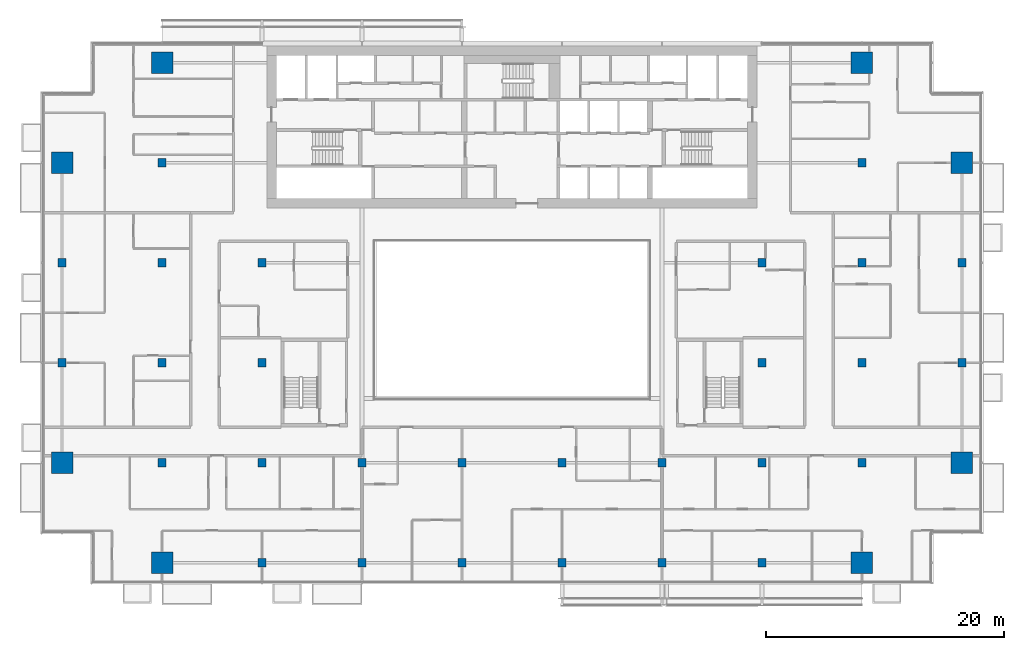
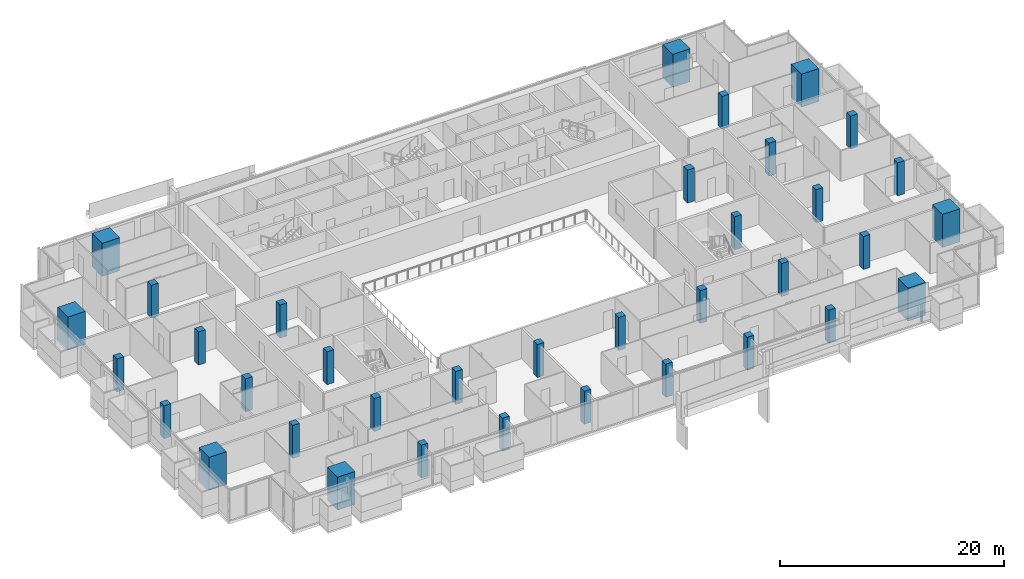
# One storey, part 1 of 28: 36 columns.
"""IFC4 building model written with IfcOpenShell, lengths in metres."""

from ifc_helpers import new_model, si_unit, direction, frame, origin, origin_2d, place, context, subcontext, project, spatial, rectangle, extrude, material, material_profile, profile_set, type_object, element, save


model = new_model("IFC4")

# Units and contexts
model_context = context("Model", 3, precision=1e-05, world=origin(), true_north=direction((0.0, 1.0)))
body_context = subcontext(model_context, "Body", "Model", "MODEL_VIEW")
ifc_project = project(units=[si_unit("LENGTHUNIT", "METRE"), si_unit("AREAUNIT", "SQUARE_METRE"), si_unit("VOLUMEUNIT", "CUBIC_METRE"), si_unit("PLANEANGLEUNIT", "RADIAN"), si_unit("MASSUNIT", "GRAM", prefix="KILO")], contexts=[model_context])

# Site, building, storey
site_placement = place(None, origin())
site = spatial("IfcSite", under=ifc_project, at=site_placement, CompositionType="ELEMENT")
building_placement = place(site_placement, origin())
building = spatial("IfcBuilding", under=site, at=building_placement, Name="Saffron Gate Tower", CompositionType="ELEMENT")
storey_placement = place(building_placement, frame((0.0, 0.0, 154.64990234375)))
storey = spatial("IfcBuildingStorey", under=building, at=storey_placement, Name="L37", CompositionType="ELEMENT", Elevation=154.64990234375)

# Columns
ifc_material_1 = material(Name="Concrete C50", Category="concrete")
ifc_material_profile_1 = material_profile(ifc_material_1, rectangle(XDim=0.699951171875, YDim=0.699951171875, at=origin_2d()))
ifc_profile_set_1 = profile_set([ifc_material_profile_1], Name="Concrete C50")
column_type_1 = type_object("IfcColumnType", Name="C3 RC 700x700 CONCRETE C50", PredefinedType="COLUMN", material=ifc_profile_set_1)
for number, where, z_axis, x_axis, name in (
    (1, (49.800048828125, 48.60009765625, 0.0), (0.0, 0.0, 1.0), (1.0, 0.0, 0.0), "C3 COLUMN X1-C"),
    (2, (49.800048828125, 57.0, 0.0), (0.0, 0.0, 1.0), (1.0, 0.0, 0.0), "C3 COLUMN X1-D"),
    (3, (58.199951171875, 40.199951171875, 0.0), (0.0, 0.0, 1.0), (1.0, 0.0, 0.0), "C3 COLUMN X2-B"),
    (4, (58.199951171875, 48.60009765625, 0.0), (0.0, 0.0, 1.0), (1.0, 0.0, 0.0), "C3 COLUMN X2-C"),
    (5, (58.199951171875, 57.0, 0.0), (0.0, 0.0, 1.0), (1.0, 0.0, 0.0), "C3 COLUMN X2-D"),
    (6, (58.199951171875, 65.39990234375, 0.0), (0.0, 0.0, 1.0), (1.0, 0.0, 0.0), "C3 COLUMN X2-E"),
    (7, (66.60009765625, 31.800048828125, 0.0), (0.0, 0.0, 1.0), (1.0, 0.0, 0.0), "C3 COLUMN X3-A"),
    (8, (66.60009765625, 40.199951171875, 0.0), (0.0, 0.0, 1.0), (1.0, 0.0, 0.0), "C3 COLUMN X3-B"),
    (9, (66.60009765625, 48.60009765625, 0.0), (0.0, 0.0, 1.0), (1.0, 0.0, 0.0), "C3 COLUMN X3-C"),
    (10, (66.60009765625, 57.0, 0.0), (0.0, 0.0, 1.0), (1.0, 0.0, 0.0), "C3 COLUMN X3-D"),
    (11, (75.0, 31.800048828125, 0.0), (0.0, 0.0, 1.0), (1.0, 0.0, 0.0), "C3 COLUMN X4-A"),
    (12, (75.0, 40.199951171875, 0.0), (0.0, 0.0, 1.0), (1.0, 0.0, 0.0), "C3 COLUMN X4-B"),
    (13, (83.39990234375, 31.800048828125, 0.0), (0.0, 0.0, 1.0), (1.0, 0.0, 0.0), "C3 COLUMN X5-A"),
    (14, (83.39990234375, 40.199951171875, 0.0), (0.0, 0.0, 1.0), (1.0, 0.0, 0.0), "C3 COLUMN X5-B"),
    (15, (91.800048828125, 31.800048828125, 0.0), (0.0, 0.0, 1.0), (1.0, 0.0, 0.0), "C3 COLUMN X6-A"),
    (16, (91.800048828125, 40.199951171875, 0.0), (0.0, 0.0, 1.0), (1.0, 0.0, 0.0), "C3 COLUMN X6-B"),
    (17, (100.199951171875, 31.800048828125, 0.0), (0.0, 0.0, 1.0), (1.0, 0.0, 0.0), "C3 COLUMN X7-A"),
    (18, (100.199951171875, 40.199951171875, 0.0), (0.0, 0.0, 1.0), (1.0, 0.0, 0.0), "C3 COLUMN X7-B"),
    (19, (108.60009765625, 31.800048828125, 0.0), (0.0, 0.0, 1.0), (1.0, 0.0, 0.0), "C3 COLUMN X8-A"),
    (20, (108.60009765625, 40.199951171875, 0.0), (0.0, 0.0, 1.0), (1.0, 0.0, 0.0), "C3 COLUMN X8-B"),
    (21, (108.60009765625, 48.60009765625, 0.0), (0.0, 0.0, 1.0), (1.0, 0.0, 0.0), "C3 COLUMN X8-C"),
    (22, (108.60009765625, 57.0, 0.0), (0.0, 0.0, 1.0), (1.0, 0.0, 0.0), "C3 COLUMN X8-D"),
    (23, (117.0, 40.199951171875, 0.0), (0.0, 0.0, 1.0), (1.0, 0.0, 0.0), "C3 COLUMN X9-B"),
    (24, (117.0, 48.60009765625, 0.0), (0.0, 0.0, 1.0), (1.0, 0.0, 0.0), "C3 COLUMN X9-C"),
    (25, (117.0, 57.0, 0.0), (0.0, 0.0, 1.0), (1.0, 0.0, 0.0), "C3 COLUMN X9-D"),
    (26, (117.0, 65.39990234375, 0.0), (0.0, 0.0, 1.0), (1.0, 0.0, 0.0), "C3 COLUMN X9-E"),
    (27, (125.39990234375, 48.60009765625, 0.0), (0.0, 0.0, 1.0), (1.0, 0.0, 0.0), "C3 COLUMN X10-C"),
    (28, (125.39990234375, 57.0, 0.0), (0.0, 0.0, 1.0), (1.0, 0.0, 0.0), "C3 COLUMN X10-D"),
):
    element("IfcColumn", number, at=place(storey_placement, frame(where, z_axis=z_axis, x_axis=x_axis)), inside=storey, type_object=column_type_1, Name=name, PredefinedType="COLUMN", context=body_context, shape_type="SweptSolid", body=[
        extrude(rectangle(XDim=0.699951171875, YDim=0.699951171875, at=origin_2d()), origin(), (0.0, 0.0, 1.0), 3.60009765625),
    ])
ifc_material_2 = material(Name="Concrete C70", Category="concrete")
ifc_material_profile_2 = material_profile(ifc_material_2, rectangle(XDim=1.800048828125, YDim=1.800048828125, at=origin_2d()))
ifc_profile_set_2 = profile_set([ifc_material_profile_2], Name="Concrete C70")
column_type_2 = type_object("IfcColumnType", Name="MC2 RC 1800x1800 CONCRETE C70", PredefinedType="COLUMN", material=ifc_profile_set_2)
for number, where, z_axis, x_axis, name in (
    (29, (49.800048828125, 40.199951171875, 0.0), (0.0, 0.0, 1.0), (1.0, 0.0, 0.0), "MC2 MEGA COLUMN X1-B"),
    (30, (49.800048828125, 65.39990234375, 0.0), (0.0, 0.0, 1.0), (1.0, 0.0, 0.0), "MC2 MEGA COLUMN X1-E"),
    (31, (58.199951171875, 31.800048828125, 0.0), (0.0, 0.0, 1.0), (1.0, 0.0, 0.0), "MC2 MEGA COLUMN X2-A"),
    (32, (58.199951171875, 73.800048828125, 0.0), (0.0, 0.0, 1.0), (1.0, 0.0, 0.0), "MC2 MEGA COLUMN X2-F"),
    (33, (117.0, 31.800048828125, 0.0), (0.0, 0.0, 1.0), (1.0, 0.0, 0.0), "MC2 MEGA COLUMN X9-A"),
    (34, (117.0, 73.800048828125, 0.0), (0.0, 0.0, 1.0), (1.0, 0.0, 0.0), "MC2 MEGA COLUMN X9-F"),
    (35, (125.39990234375, 40.199951171875, 0.0), (0.0, 0.0, 1.0), (1.0, 0.0, 0.0), "MC2 MEGA COLUMN X10-B"),
    (36, (125.39990234375, 65.39990234375, 0.0), (0.0, 0.0, 1.0), (1.0, 0.0, 0.0), "MC2 MEGA COLUMN X10-E"),
):
    element("IfcColumn", number, at=place(storey_placement, frame(where, z_axis=z_axis, x_axis=x_axis)), inside=storey, type_object=column_type_2, Name=name, PredefinedType="COLUMN", context=body_context, shape_type="SweptSolid", body=[
        extrude(rectangle(XDim=1.800048828125, YDim=1.800048828125, at=origin_2d()), origin(), (0.0, 0.0, 1.0), 3.60009765625),
    ])

save(model, "model.ifc")
